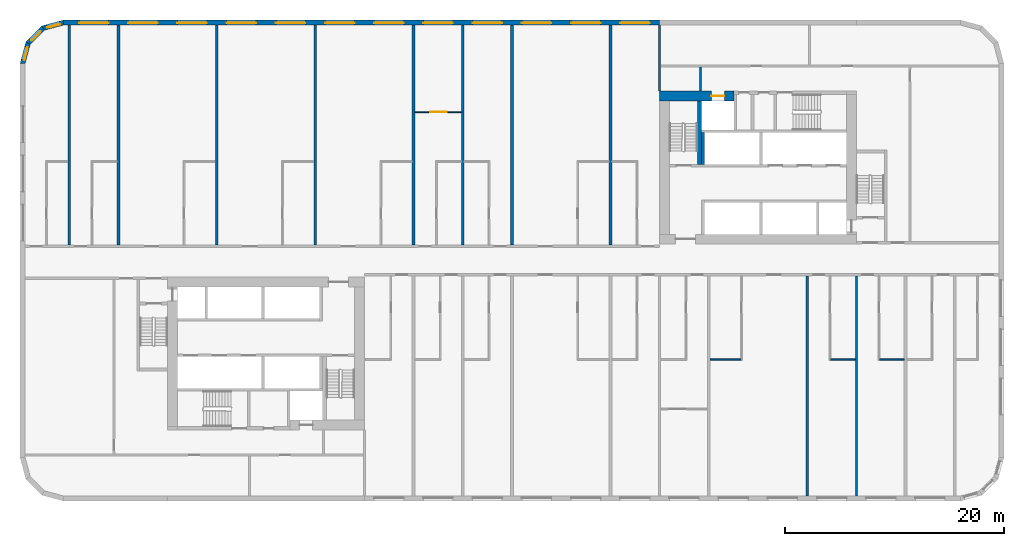
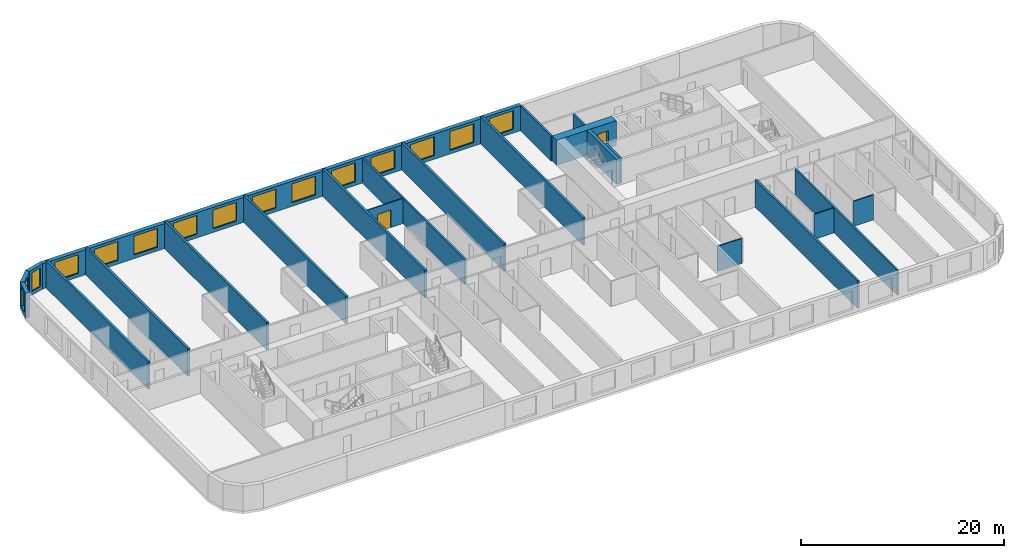
# One storey, part 6 of 12: 23 walls, 15 windows, 2 doors, 17 openings.
"""IFC4 building model written with IfcOpenShell, lengths in metres."""

import ifcopenshell
import ifcopenshell.guid

model = None  # the IFC model being written
_history = None  # IfcOwnerHistory: only IFC2X3 demands one
_inside = {}  # id of a spatial element -> (the spatial element, [elements in it])
_under = {}  # id of a project, library or spatial element -> (it, [spatial elements below it])
_declared = {}  # id of a project -> (the project, [libraries it declares])
_typed = {}  # id of a type object -> (the type object, [elements of that type])
_made_of = {}  # id of a material, layer set ... -> (it, [elements and type objects made of it])


def new_model(schema):
    """Start an empty IFC model of exactly this schema.

    Asked for "IFC4X3", IfcOpenShell would pick the latest addendum, in which some entities
    have other attributes; the version numbers below select the first issue.
    IFC2X3 requires an IfcOwnerHistory on every rooted entity: one is made here for all.
    """
    global model, _history
    if schema == "IFC4X3":
        model = ifcopenshell.file(schema_version=(4, 3, 0, 0))
    else:
        model = ifcopenshell.file(schema=schema)
    _inside.clear()
    _under.clear()
    _declared.clear()
    _typed.clear()
    _made_of.clear()
    _history = None
    if model.schema == "IFC2X3":
        org = make("IfcOrganization", Name="unknown")
        user = make(
            "IfcPersonAndOrganization",
            ThePerson=make("IfcPerson", FamilyName="unknown"),
            TheOrganization=org,
        )
        app = make(
            "IfcApplication",
            ApplicationDeveloper=org,
            Version="unknown",
            ApplicationFullName="unknown",
            ApplicationIdentifier="unknown",
        )
        _history = make(
            "IfcOwnerHistory",
            OwningUser=user,
            OwningApplication=app,
            ChangeAction="ADDED",
            CreationDate=0,
        )
    return model


def make(cls, **values):
    """One entity of the class cls with the attributes given. An attribute that is None is left unset."""
    return model.create_entity(
        cls, **{name: value for name, value in values.items() if value is not None}
    )


def rooted(cls, **values):
    """An entity with a GlobalId (a new one), such as an element, a storey or a relation."""
    return make(cls, GlobalId=ifcopenshell.guid.new(), OwnerHistory=_history, **values)


def si_unit(unit_type, name, prefix=None):
    """IfcSIUnit, for example si_unit("LENGTHUNIT", "METRE", prefix="MILLI")."""
    return make("IfcSIUnit", UnitType=unit_type, Prefix=prefix, Name=name)


def assignment(units):
    """IfcUnitAssignment: the units of a project."""
    return None if units is None else make("IfcUnitAssignment", Units=units)


def point(xyz):
    """IfcCartesianPoint."""
    return None if xyz is None else make("IfcCartesianPoint", Coordinates=xyz)


def direction(xyz):
    """IfcDirection."""
    return None if xyz is None else make("IfcDirection", DirectionRatios=xyz)


def frame(location, z_axis=None, x_axis=None):
    """IfcAxis2Placement3D, a coordinate frame: its origin and axes. An axis left out is left unset."""
    return make(
        "IfcAxis2Placement3D",
        Location=point(location),
        Axis=direction(z_axis),
        RefDirection=direction(x_axis),
    )


def frame_2d(location, x_axis=None):
    """IfcAxis2Placement2D, a coordinate frame in the plane: its origin and x axis."""
    return make(
        "IfcAxis2Placement2D", Location=point(location), RefDirection=direction(x_axis)
    )


def origin():
    """The frame at (0, 0, 0) with its axes left unset."""
    return frame((0.0, 0.0, 0.0))


def place(relative_to, where):
    """IfcLocalPlacement: puts the frame where relative to a parent placement (None: the world)."""
    return make(
        "IfcLocalPlacement", PlacementRelTo=relative_to, RelativePlacement=where
    )


def context(
    kind, dimensions, precision=None, world=None, true_north=None, identifier=None
):
    """IfcGeometricRepresentationContext, for example the 3D "Model" context."""
    return make(
        "IfcGeometricRepresentationContext",
        ContextIdentifier=identifier,
        ContextType=kind,
        CoordinateSpaceDimension=dimensions,
        Precision=precision,
        WorldCoordinateSystem=world,
        TrueNorth=true_north,
    )


def subcontext(parent, identifier, kind, view, scale=None):
    """IfcGeometricRepresentationSubContext, for example "Body" below "Model"."""
    return make(
        "IfcGeometricRepresentationSubContext",
        ContextIdentifier=identifier,
        ContextType=kind,
        ParentContext=parent,
        TargetScale=scale,
        TargetView=view,
    )


def project(units=None, contexts=None):
    """IfcProject with its units and contexts."""
    return rooted(
        "IfcProject",
        Name="project",
        RepresentationContexts=contexts,
        UnitsInContext=assignment(units),
    )


def spatial(cls, under=None, at=None, **own):
    """A site, building, storey or space (cls), placed at a placement, below another one or the project."""
    s = rooted(cls, ObjectPlacement=at, **own)
    if under is not None:
        _under.setdefault(under.id(), (under, []))[1].append(s)
    return s


def polyline(points):
    """IfcPolyline through the points."""
    return make("IfcPolyline", Points=[point(p) for p in points])


def profile(cls, at=None, kind="AREA", **sizes):
    """A parametric profile (cls). Its sizes go by their IFC names, for example OverallWidth=200.0."""
    return make(cls, ProfileType=kind, Position=at, **sizes)


def rectangle(**sizes):
    """IfcRectangleProfileDef."""
    return profile("IfcRectangleProfileDef", **sizes)


def outline(outer, holes=None, kind="AREA"):
    """IfcArbitraryClosedProfileDef: a profile drawn as a closed curve; with holes, ...WithVoids."""
    if holes is None:
        return make("IfcArbitraryClosedProfileDef", ProfileType=kind, OuterCurve=outer)
    return make(
        "IfcArbitraryProfileDefWithVoids",
        ProfileType=kind,
        OuterCurve=outer,
        InnerCurves=holes,
    )


def extrude(swept, where, along, depth):
    """IfcExtrudedAreaSolid: the profile swept, set in the frame where, extruded along a direction by depth."""
    return make(
        "IfcExtrudedAreaSolid",
        SweptArea=swept,
        Position=where,
        ExtrudedDirection=direction(along),
        Depth=depth,
    )


def shape(context_of_items, identifier, shape_type, items):
    """IfcShapeRepresentation: the items that make up one representation, for example the "Body"."""
    return make(
        "IfcShapeRepresentation",
        ContextOfItems=context_of_items,
        RepresentationIdentifier=identifier,
        RepresentationType=shape_type,
        Items=items,
    )


def material(Name=None, Category=None):
    """IfcMaterial."""
    return make("IfcMaterial", Name=Name, Category=Category)


def layer(
    of_material, thickness, ventilated=None, Name=None, Category=None, Priority=None
):
    """IfcMaterialLayer: one layer of a wall or slab, of a material (None: an air gap)."""
    return make(
        "IfcMaterialLayer",
        Material=of_material,
        LayerThickness=thickness,
        IsVentilated=ventilated,
        Name=Name,
        Category=Category,
        Priority=Priority,
    )


def layer_set(layers, Name=None):
    """IfcMaterialLayerSet."""
    return make("IfcMaterialLayerSet", MaterialLayers=layers, LayerSetName=Name)


def made_of(thing, what):
    """Note that an element or type object is made of a material, layer set ...; save() writes the relation."""
    if what is not None:
        _made_of.setdefault(what.id(), (what, []))[1].append(thing)
    return thing


def type_object(cls, material=None, **own):
    """A type object (cls), such as IfcWallType, which elements share."""
    return made_of(rooted(cls, **own), material)


def element(
    cls,
    number,
    at=None,
    inside=None,
    cuts=None,
    type_object=None,
    material=None,
    context=None,
    identifier="Body",
    shape_type=None,
    held_by="IfcProductDefinitionShape",
    body=None,
    shapes=None,
    **own,
):
    """One element of the class cls, such as IfcWall. Its Tag is "e" and its number.

    at: its placement. inside: the storey or other place that contains it. cuts: it is an
    opening in that element (IfcRelVoidsElement). A single representation is given by context,
    identifier, shape_type and body (its items); several are given by shapes. held_by: the class
    of the entity that holds the representations. save() writes the other relations.
    """
    e = rooted(cls, Tag="e%d" % number, ObjectPlacement=at, **own)
    if body is not None:
        shapes = [shape(context, identifier, shape_type, body)]
    if shapes is not None:
        e.Representation = make(held_by, Representations=shapes)
    if inside is not None:
        _inside.setdefault(inside.id(), (inside, []))[1].append(e)
    if cuts is not None:
        rooted(
            "IfcRelVoidsElement", RelatingBuildingElement=cuts, RelatedOpeningElement=e
        )
    if type_object is not None:
        _typed.setdefault(type_object.id(), (type_object, []))[1].append(e)
    return made_of(e, material)


def fill(opening, filler):
    """IfcRelFillsElement: the door or window that sits in an opening."""
    return rooted(
        "IfcRelFillsElement",
        RelatingOpeningElement=opening,
        RelatedBuildingElement=filler,
    )


def aggregate(whole, parts):
    """IfcRelAggregates: a whole, such as a stair, and the parts it consists of."""
    return rooted("IfcRelAggregates", RelatingObject=whole, RelatedObjects=parts)


def save(model, path):
    """Write the relations noted so far, then the file.

    IfcRelAggregates (storeys below a building ...), IfcRelContainedInSpatialStructure (elements
    in a storey), IfcRelDefinesByType, IfcRelAssociatesMaterial and IfcRelDeclares: one each for
    every whole, place, type object, material and project.
    """
    for whole, parts in _under.values():
        aggregate(whole, parts)
    for where, things in _inside.values():
        rooted(
            "IfcRelContainedInSpatialStructure",
            RelatedElements=things,
            RelatingStructure=where,
        )
    for kind, things in _typed.values():
        rooted("IfcRelDefinesByType", RelatedObjects=things, RelatingType=kind)
    for what, things in _made_of.values():
        rooted("IfcRelAssociatesMaterial", RelatedObjects=things, RelatingMaterial=what)
    for by, libraries in _declared.values():
        rooted("IfcRelDeclares", RelatingContext=by, RelatedDefinitions=libraries)
    model.write(path)


model = new_model("IFC4")

# Units and contexts
model_context = context("Model", 3, precision=1e-05, world=origin(), true_north=direction((0.0, 1.0)))
body_context = subcontext(model_context, "Body", "Model", "MODEL_VIEW")
ifc_project = project(units=[si_unit("LENGTHUNIT", "METRE"), si_unit("AREAUNIT", "SQUARE_METRE"), si_unit("VOLUMEUNIT", "CUBIC_METRE"), si_unit("PLANEANGLEUNIT", "RADIAN"), si_unit("MASSUNIT", "GRAM", prefix="KILO")], contexts=[model_context])

# Site, building, storey
site_placement = place(None, origin())
site = spatial("IfcSite", under=ifc_project, at=site_placement, CompositionType="ELEMENT")
building_placement = place(site_placement, origin())
building = spatial("IfcBuilding", under=site, at=building_placement, Name="Kajstack Hotel Tower", CompositionType="ELEMENT")
storey_placement = place(building_placement, frame((0.0, 0.0, 83.10009765625)))
storey = spatial("IfcBuildingStorey", under=building, at=storey_placement, Name="L16", CompositionType="ELEMENT", Elevation=83.10009765625)

# Wall, opening, door
ifc_material_1 = material(Name="Concrete C60/75", Category="concrete")
ifc_layer_1 = layer(ifc_material_1, 0.89990234375)
ifc_layer_set_1 = layer_set([ifc_layer_1], Name="Core wall 900")
wall_type_1 = type_object("IfcWallType", Name="Core wall 900", PredefinedType="SHEAR", material=ifc_layer_set_1)
wall_1_placement = place(storey_placement, frame((13.5, 15.050048828125, 0.0), z_axis=(0.0, 0.0, 1.0), x_axis=(1.0, 0.0, 0.0)))
wall_1 = element("IfcWall", 1, at=wall_1_placement, inside=storey, type_object=wall_type_1, Name="Core wall E RS", PredefinedType="SHEAR", context=body_context, shape_type="SweptSolid", body=[
    extrude(rectangle(XDim=6.800048828125, YDim=0.89990234375, at=frame_2d((3.39990234375, 0.0))), origin(), (0.0, 0.0, 1.0), 3.02001953125),
])
opening_1_placement = place(wall_1_placement, frame((4.72509765625, 0.0, 0.0)))
opening_1 = element("IfcOpeningElement", 2, at=opening_1_placement, cuts=wall_1, Name="Opening LD-SV2", PredefinedType="OPENING", context=body_context, shape_type="SweptSolid", body=[
    extrude(rectangle(XDim=1.199951171875, YDim=2.10009765625, at=frame_2d((0.60009765625, 1.050048828125))), frame((0.0, 0.4599609375, 0.0), z_axis=(0.0, -1.0, 0.0), x_axis=(1.0, 0.0, 0.0)), (0.0, 0.0, 1.0), 0.919921875),
])
ifc_material_2 = material(Name="Stainless steel", Category="steel")
door_type_1 = type_object("IfcDoorType", Name="Lift landing door 1200", OperationType="SLIDING_TO_LEFT", PredefinedType="DOOR", material=ifc_material_2)
door_1_placement = place(opening_1_placement, origin())
door_1 = element("IfcDoor", 3, at=door_1_placement, inside=storey, type_object=door_type_1, Name="Landing door SV2", OperationType="SLIDING_TO_LEFT", OverallHeight=2.10009765625, OverallWidth=1.199951171875, PredefinedType="DOOR", context=body_context, shape_type="SweptSolid", body=[
    extrude(rectangle(XDim=1.199951171875, YDim=2.10009765625, at=frame_2d((0.60009765625, 1.050048828125))), frame((0.0, 0.02490234375, 0.0), z_axis=(0.0, -1.0, 0.0), x_axis=(1.0, 0.0, 0.0)), (0.0, 0.0, 1.0), 0.050048828125),
])
fill(opening_1, door_1)

# Walls
ifc_material_3 = material(Name="Twin-frame gypsum board on steel studs, mineral wool", Category="steel")
ifc_layer_2 = layer(ifc_material_3, 0.199951171875)
ifc_layer_set_2 = layer_set([ifc_layer_2], Name="Demising wall 200")
wall_type_2 = type_object("IfcWallType", Name="Demising wall 200", PredefinedType="PARTITIONING", material=ifc_layer_set_2)
wall_2_placement = place(storey_placement, frame((13.5, 15.5, 0.0), z_axis=(0.0, 0.0, 1.0), x_axis=(0.0, 1.0, 0.0)))
element("IfcWall", 4, at=wall_2_placement, inside=storey, type_object=wall_type_2, Name="G-wall-L16-001", PredefinedType="PARTITIONING", context=body_context, shape_type="SweptSolid", body=[
    extrude(rectangle(XDim=6.050048828125, YDim=0.199951171875, at=frame_2d((3.02490234375, 0.0))), origin(), (0.0, 0.0, 1.0), 3.02001953125),
])
for number, where, z_axis, x_axis, name in (
    (5, (-4.5, 1.39990234375, 0.0), (0.0, 0.0, 1.0), (0.0, 1.0, 0.0), "G-wall-L16-014"),
    (6, (31.5, -21.550048828125, 0.0), (0.0, 0.0, 1.0), (0.0, 1.0, 0.0), "G-wall-L16-042"),
):
    element("IfcWall", number, at=place(storey_placement, frame(where, z_axis=z_axis, x_axis=x_axis)), inside=storey, type_object=wall_type_2, Name=name, PredefinedType="PARTITIONING", context=body_context, shape_type="SweptSolid", body=[
        extrude(rectangle(XDim=20.150146484375, YDim=0.199951171875, at=frame_2d((10.0751953125, 0.0))), origin(), (0.0, 0.0, 1.0), 3.02001953125),
    ])

# Wall, openings, windows
ifc_material_4 = material(Name="Terracotta-faced brick masonry", Category="masonry")
ifc_layer_3 = layer(ifc_material_4, 0.449951171875)
ifc_layer_set_3 = layer_set([ifc_layer_3], Name="EW-TERRA")
wall_type_3 = type_object("IfcWallType", Name="EW-TERRA", PredefinedType="SOLIDWALL", material=ifc_layer_set_3)
wall_3_placement = place(storey_placement, frame((13.5, 21.77490234375, 0.0), z_axis=(0.0, 0.0, 1.0), x_axis=(-1.0, 0.0, 0.0)))
wall_3 = element("IfcWall", 7, at=wall_3_placement, inside=storey, type_object=wall_type_3, Name="E-wall-L16-11-02", PredefinedType="SOLIDWALL", context=body_context, shape_type="SweptSolid", body=[
    extrude(rectangle(XDim=54.5, YDim=0.449951171875, at=frame_2d((27.25, 0.0))), origin(), (0.0, 0.0, 1.0), 3.02001953125),
])
opening_2_placement = place(wall_3_placement, frame((0.89990234375, 0.0, 0.449951171875)))
opening_2 = element("IfcOpeningElement", 8, at=opening_2_placement, cuts=wall_3, Name="Opening W1", PredefinedType="OPENING", context=body_context, shape_type="SweptSolid", body=[
    extrude(rectangle(XDim=2.699951171875, YDim=2.25, at=frame_2d((1.35009765625, 1.125))), frame((0.0, 0.23486328125, 0.0), z_axis=(0.0, -1.0, 0.0), x_axis=(1.0, 0.0, 0.0)), (0.0, 0.0, 1.0), 0.469970703125),
])
opening_3_placement = place(wall_3_placement, frame((5.39990234375, 0.0, 0.449951171875)))
opening_3 = element("IfcOpeningElement", 9, at=opening_3_placement, cuts=wall_3, Name="Opening W1", PredefinedType="OPENING", context=body_context, shape_type="SweptSolid", body=[
    extrude(rectangle(XDim=2.699951171875, YDim=2.25, at=frame_2d((1.35009765625, 1.125))), frame((0.0, 0.23486328125, 0.0), z_axis=(0.0, -1.0, 0.0), x_axis=(1.0, 0.0, 0.0)), (0.0, 0.0, 1.0), 0.469970703125),
])
opening_4_placement = place(wall_3_placement, frame((9.89990234375, 0.0, 0.449951171875)))
opening_4 = element("IfcOpeningElement", 10, at=opening_4_placement, cuts=wall_3, Name="Opening W1", PredefinedType="OPENING", context=body_context, shape_type="SweptSolid", body=[
    extrude(rectangle(XDim=2.699951171875, YDim=2.25, at=frame_2d((1.35009765625, 1.125))), frame((0.0, 0.23486328125, 0.0), z_axis=(0.0, -1.0, 0.0), x_axis=(1.0, 0.0, 0.0)), (0.0, 0.0, 1.0), 0.469970703125),
])
opening_5_placement = place(wall_3_placement, frame((14.39990234375, 0.0, 0.449951171875)))
opening_5 = element("IfcOpeningElement", 11, at=opening_5_placement, cuts=wall_3, Name="Opening W1", PredefinedType="OPENING", context=body_context, shape_type="SweptSolid", body=[
    extrude(rectangle(XDim=2.699951171875, YDim=2.25, at=frame_2d((1.35009765625, 1.125))), frame((0.0, 0.23486328125, 0.0), z_axis=(0.0, -1.0, 0.0), x_axis=(1.0, 0.0, 0.0)), (0.0, 0.0, 1.0), 0.469970703125),
])
opening_6_placement = place(wall_3_placement, frame((18.89990234375, 0.0, 0.449951171875)))
opening_6 = element("IfcOpeningElement", 12, at=opening_6_placement, cuts=wall_3, Name="Opening W1", PredefinedType="OPENING", context=body_context, shape_type="SweptSolid", body=[
    extrude(rectangle(XDim=2.699951171875, YDim=2.25, at=frame_2d((1.35009765625, 1.125))), frame((0.0, 0.23486328125, 0.0), z_axis=(0.0, -1.0, 0.0), x_axis=(1.0, 0.0, 0.0)), (0.0, 0.0, 1.0), 0.469970703125),
])
opening_7_placement = place(wall_3_placement, frame((23.39990234375, 0.0, 0.449951171875)))
opening_7 = element("IfcOpeningElement", 13, at=opening_7_placement, cuts=wall_3, Name="Opening W1", PredefinedType="OPENING", context=body_context, shape_type="SweptSolid", body=[
    extrude(rectangle(XDim=2.699951171875, YDim=2.25, at=frame_2d((1.35009765625, 1.125))), frame((0.0, 0.23486328125, 0.0), z_axis=(0.0, -1.0, 0.0), x_axis=(1.0, 0.0, 0.0)), (0.0, 0.0, 1.0), 0.469970703125),
])
opening_8_placement = place(wall_3_placement, frame((27.89990234375, 0.0, 0.449951171875)))
opening_8 = element("IfcOpeningElement", 14, at=opening_8_placement, cuts=wall_3, Name="Opening W1", PredefinedType="OPENING", context=body_context, shape_type="SweptSolid", body=[
    extrude(rectangle(XDim=2.699951171875, YDim=2.25, at=frame_2d((1.35009765625, 1.125))), frame((0.0, 0.23486328125, 0.0), z_axis=(0.0, -1.0, 0.0), x_axis=(1.0, 0.0, 0.0)), (0.0, 0.0, 1.0), 0.469970703125),
])
opening_9_placement = place(wall_3_placement, frame((32.39990234375, 0.0, 0.449951171875)))
opening_9 = element("IfcOpeningElement", 15, at=opening_9_placement, cuts=wall_3, Name="Opening W1", PredefinedType="OPENING", context=body_context, shape_type="SweptSolid", body=[
    extrude(rectangle(XDim=2.699951171875, YDim=2.25, at=frame_2d((1.35009765625, 1.125))), frame((0.0, 0.23486328125, 0.0), z_axis=(0.0, -1.0, 0.0), x_axis=(1.0, 0.0, 0.0)), (0.0, 0.0, 1.0), 0.469970703125),
])
opening_10_placement = place(wall_3_placement, frame((36.89990234375, 0.0, 0.449951171875)))
opening_10 = element("IfcOpeningElement", 16, at=opening_10_placement, cuts=wall_3, Name="Opening W1", PredefinedType="OPENING", context=body_context, shape_type="SweptSolid", body=[
    extrude(rectangle(XDim=2.699951171875, YDim=2.25, at=frame_2d((1.35009765625, 1.125))), frame((0.0, 0.23486328125, 0.0), z_axis=(0.0, -1.0, 0.0), x_axis=(1.0, 0.0, 0.0)), (0.0, 0.0, 1.0), 0.469970703125),
])
opening_11_placement = place(wall_3_placement, frame((41.39990234375, 0.0, 0.449951171875)))
opening_11 = element("IfcOpeningElement", 17, at=opening_11_placement, cuts=wall_3, Name="Opening W1", PredefinedType="OPENING", context=body_context, shape_type="SweptSolid", body=[
    extrude(rectangle(XDim=2.699951171875, YDim=2.25, at=frame_2d((1.35009765625, 1.125))), frame((0.0, 0.23486328125, 0.0), z_axis=(0.0, -1.0, 0.0), x_axis=(1.0, 0.0, 0.0)), (0.0, 0.0, 1.0), 0.469970703125),
])
opening_12_placement = place(wall_3_placement, frame((45.89990234375, 0.0, 0.449951171875)))
opening_12 = element("IfcOpeningElement", 18, at=opening_12_placement, cuts=wall_3, Name="Opening W1", PredefinedType="OPENING", context=body_context, shape_type="SweptSolid", body=[
    extrude(rectangle(XDim=2.699951171875, YDim=2.25, at=frame_2d((1.35009765625, 1.125))), frame((0.0, 0.23486328125, 0.0), z_axis=(0.0, -1.0, 0.0), x_axis=(1.0, 0.0, 0.0)), (0.0, 0.0, 1.0), 0.469970703125),
])
opening_13_placement = place(wall_3_placement, frame((50.39990234375, 0.0, 0.449951171875)))
opening_13 = element("IfcOpeningElement", 19, at=opening_13_placement, cuts=wall_3, Name="Opening W1", PredefinedType="OPENING", context=body_context, shape_type="SweptSolid", body=[
    extrude(rectangle(XDim=2.699951171875, YDim=2.25, at=frame_2d((1.35009765625, 1.125))), frame((0.0, 0.23486328125, 0.0), z_axis=(0.0, -1.0, 0.0), x_axis=(1.0, 0.0, 0.0)), (0.0, 0.0, 1.0), 0.469970703125),
])
ifc_material_5 = material(Name="Timber-aluminium window, triple glazed", Category="wood")
window_type_1 = type_object("IfcWindowType", Name="WG1", PartitioningType="SINGLE_PANEL", PredefinedType="WINDOW", material=ifc_material_5)
window_1_placement = place(opening_2_placement, origin())
window_1 = element("IfcWindow", 20, at=window_1_placement, inside=storey, type_object=window_type_1, Name="Window W1 L16-11", OverallHeight=2.25, OverallWidth=2.699951171875, PartitioningType="SINGLE_PANEL", PredefinedType="WINDOW", context=body_context, shape_type="SweptSolid", body=[
    extrude(rectangle(XDim=2.699951171875, YDim=2.25, at=frame_2d((1.35009765625, 1.125))), frame((0.0, 0.090087890625, 0.0), z_axis=(0.0, -1.0, 0.0), x_axis=(1.0, 0.0, 0.0)), (0.0, 0.0, 1.0), 0.06005859375),
])
fill(opening_2, window_1)
window_2_placement = place(opening_3_placement, origin())
window_2 = element("IfcWindow", 21, at=window_2_placement, inside=storey, type_object=window_type_1, Name="Window W1 L16-11", OverallHeight=2.25, OverallWidth=2.699951171875, PartitioningType="SINGLE_PANEL", PredefinedType="WINDOW", context=body_context, shape_type="SweptSolid", body=[
    extrude(rectangle(XDim=2.699951171875, YDim=2.25, at=frame_2d((1.35009765625, 1.125))), frame((0.0, 0.090087890625, 0.0), z_axis=(0.0, -1.0, 0.0), x_axis=(1.0, 0.0, 0.0)), (0.0, 0.0, 1.0), 0.06005859375),
])
fill(opening_3, window_2)
window_3_placement = place(opening_4_placement, origin())
window_3 = element("IfcWindow", 22, at=window_3_placement, inside=storey, type_object=window_type_1, Name="Window W1 L16-11", OverallHeight=2.25, OverallWidth=2.699951171875, PartitioningType="SINGLE_PANEL", PredefinedType="WINDOW", context=body_context, shape_type="SweptSolid", body=[
    extrude(rectangle(XDim=2.699951171875, YDim=2.25, at=frame_2d((1.35009765625, 1.125))), frame((0.0, 0.090087890625, 0.0), z_axis=(0.0, -1.0, 0.0), x_axis=(1.0, 0.0, 0.0)), (0.0, 0.0, 1.0), 0.06005859375),
])
fill(opening_4, window_3)
window_4_placement = place(opening_5_placement, origin())
window_4 = element("IfcWindow", 23, at=window_4_placement, inside=storey, type_object=window_type_1, Name="Window W1 L16-11", OverallHeight=2.25, OverallWidth=2.699951171875, PartitioningType="SINGLE_PANEL", PredefinedType="WINDOW", context=body_context, shape_type="SweptSolid", body=[
    extrude(rectangle(XDim=2.699951171875, YDim=2.25, at=frame_2d((1.35009765625, 1.125))), frame((0.0, 0.090087890625, 0.0), z_axis=(0.0, -1.0, 0.0), x_axis=(1.0, 0.0, 0.0)), (0.0, 0.0, 1.0), 0.06005859375),
])
fill(opening_5, window_4)
window_5_placement = place(opening_6_placement, origin())
window_5 = element("IfcWindow", 24, at=window_5_placement, inside=storey, type_object=window_type_1, Name="Window W1 L16-11", OverallHeight=2.25, OverallWidth=2.699951171875, PartitioningType="SINGLE_PANEL", PredefinedType="WINDOW", context=body_context, shape_type="SweptSolid", body=[
    extrude(rectangle(XDim=2.699951171875, YDim=2.25, at=frame_2d((1.35009765625, 1.125))), frame((0.0, 0.090087890625, 0.0), z_axis=(0.0, -1.0, 0.0), x_axis=(1.0, 0.0, 0.0)), (0.0, 0.0, 1.0), 0.06005859375),
])
fill(opening_6, window_5)
window_6_placement = place(opening_7_placement, origin())
window_6 = element("IfcWindow", 25, at=window_6_placement, inside=storey, type_object=window_type_1, Name="Window W1 L16-11", OverallHeight=2.25, OverallWidth=2.699951171875, PartitioningType="SINGLE_PANEL", PredefinedType="WINDOW", context=body_context, shape_type="SweptSolid", body=[
    extrude(rectangle(XDim=2.699951171875, YDim=2.25, at=frame_2d((1.35009765625, 1.125))), frame((0.0, 0.090087890625, 0.0), z_axis=(0.0, -1.0, 0.0), x_axis=(1.0, 0.0, 0.0)), (0.0, 0.0, 1.0), 0.06005859375),
])
fill(opening_7, window_6)
window_7_placement = place(opening_8_placement, origin())
window_7 = element("IfcWindow", 26, at=window_7_placement, inside=storey, type_object=window_type_1, Name="Window W1 L16-11", OverallHeight=2.25, OverallWidth=2.699951171875, PartitioningType="SINGLE_PANEL", PredefinedType="WINDOW", context=body_context, shape_type="SweptSolid", body=[
    extrude(rectangle(XDim=2.699951171875, YDim=2.25, at=frame_2d((1.35009765625, 1.125))), frame((0.0, 0.090087890625, 0.0), z_axis=(0.0, -1.0, 0.0), x_axis=(1.0, 0.0, 0.0)), (0.0, 0.0, 1.0), 0.06005859375),
])
fill(opening_8, window_7)
window_8_placement = place(opening_9_placement, origin())
window_8 = element("IfcWindow", 27, at=window_8_placement, inside=storey, type_object=window_type_1, Name="Window W1 L16-11", OverallHeight=2.25, OverallWidth=2.699951171875, PartitioningType="SINGLE_PANEL", PredefinedType="WINDOW", context=body_context, shape_type="SweptSolid", body=[
    extrude(rectangle(XDim=2.699951171875, YDim=2.25, at=frame_2d((1.35009765625, 1.125))), frame((0.0, 0.090087890625, 0.0), z_axis=(0.0, -1.0, 0.0), x_axis=(1.0, 0.0, 0.0)), (0.0, 0.0, 1.0), 0.06005859375),
])
fill(opening_9, window_8)
window_9_placement = place(opening_10_placement, origin())
window_9 = element("IfcWindow", 28, at=window_9_placement, inside=storey, type_object=window_type_1, Name="Window W1 L16-11", OverallHeight=2.25, OverallWidth=2.699951171875, PartitioningType="SINGLE_PANEL", PredefinedType="WINDOW", context=body_context, shape_type="SweptSolid", body=[
    extrude(rectangle(XDim=2.699951171875, YDim=2.25, at=frame_2d((1.35009765625, 1.125))), frame((0.0, 0.090087890625, 0.0), z_axis=(0.0, -1.0, 0.0), x_axis=(1.0, 0.0, 0.0)), (0.0, 0.0, 1.0), 0.06005859375),
])
fill(opening_10, window_9)
window_10_placement = place(opening_11_placement, origin())
window_10 = element("IfcWindow", 29, at=window_10_placement, inside=storey, type_object=window_type_1, Name="Window W1 L16-11", OverallHeight=2.25, OverallWidth=2.699951171875, PartitioningType="SINGLE_PANEL", PredefinedType="WINDOW", context=body_context, shape_type="SweptSolid", body=[
    extrude(rectangle(XDim=2.699951171875, YDim=2.25, at=frame_2d((1.35009765625, 1.125))), frame((0.0, 0.090087890625, 0.0), z_axis=(0.0, -1.0, 0.0), x_axis=(1.0, 0.0, 0.0)), (0.0, 0.0, 1.0), 0.06005859375),
])
fill(opening_11, window_10)
window_11_placement = place(opening_12_placement, origin())
window_11 = element("IfcWindow", 30, at=window_11_placement, inside=storey, type_object=window_type_1, Name="Window W1 L16-11", OverallHeight=2.25, OverallWidth=2.699951171875, PartitioningType="SINGLE_PANEL", PredefinedType="WINDOW", context=body_context, shape_type="SweptSolid", body=[
    extrude(rectangle(XDim=2.699951171875, YDim=2.25, at=frame_2d((1.35009765625, 1.125))), frame((0.0, 0.090087890625, 0.0), z_axis=(0.0, -1.0, 0.0), x_axis=(1.0, 0.0, 0.0)), (0.0, 0.0, 1.0), 0.06005859375),
])
fill(opening_12, window_11)
window_12_placement = place(opening_13_placement, origin())
window_12 = element("IfcWindow", 31, at=window_12_placement, inside=storey, type_object=window_type_1, Name="Window W1 L16-11", OverallHeight=2.25, OverallWidth=2.699951171875, PartitioningType="SINGLE_PANEL", PredefinedType="WINDOW", context=body_context, shape_type="SweptSolid", body=[
    extrude(rectangle(XDim=2.699951171875, YDim=2.25, at=frame_2d((1.35009765625, 1.125))), frame((0.0, 0.090087890625, 0.0), z_axis=(0.0, -1.0, 0.0), x_axis=(1.0, 0.0, 0.0)), (0.0, 0.0, 1.0), 0.06005859375),
])
fill(opening_13, window_12)

# Wall, opening, window
wall_4_placement = place(storey_placement, frame((-40.941650390625, 21.78271484375, 0.0), z_axis=(0.0, 0.0, 1.0), x_axis=(-0.965926999034, -0.25881466832, 0.0)))
wall_4 = element("IfcWall", 32, at=wall_4_placement, inside=storey, type_object=wall_type_3, Name="E-wall-L16-12-00", PredefinedType="SOLIDWALL", context=body_context, shape_type="SweptSolid", body=[
    extrude(outline(polyline([(0.000244140625, -0.22509765625), (2.070556640625, -0.224853515625), (1.9501953125, 0.22509765625), (0.12060546875, 0.22509765625), (0.000244140625, -0.22509765625)])), origin(), (0.0, 0.0, 1.0), 3.02001953125),
])
opening_14_placement = place(wall_4_placement, frame((0.435302734375, 0.0, 0.449951171875)))
opening_14 = element("IfcOpeningElement", 33, at=opening_14_placement, cuts=wall_4, Name="Opening W3", PredefinedType="OPENING", context=body_context, shape_type="SweptSolid", body=[
    extrude(rectangle(XDim=1.199951171875, YDim=2.25, at=frame_2d((0.60009765625, 1.125))), frame((0.0, 0.23486328125, 0.0), z_axis=(0.0, -1.0, 0.0), x_axis=(1.0, 0.0, 0.0)), (0.0, 0.0, 1.0), 0.469970703125),
])
window_type_2 = type_object("IfcWindowType", Name="WG3", PartitioningType="SINGLE_PANEL", PredefinedType="WINDOW", material=ifc_material_5)
window_13_placement = place(opening_14_placement, origin())
window_13 = element("IfcWindow", 34, at=window_13_placement, inside=storey, type_object=window_type_2, Name="Window W3 L16-12", OverallHeight=2.25, OverallWidth=1.199951171875, PartitioningType="SINGLE_PANEL", PredefinedType="WINDOW", context=body_context, shape_type="SweptSolid", body=[
    extrude(rectangle(XDim=1.199951171875, YDim=2.25, at=frame_2d((0.60009765625, 1.125))), frame((0.0, 0.090087890625, 0.0), z_axis=(0.0, -1.0, 0.0), x_axis=(1.0, 0.0, 0.0)), (0.0, 0.0, 1.0), 0.06005859375),
])
fill(opening_14, window_13)

wall_5_placement = place(storey_placement, frame((-42.8408203125, 21.304931640625, 0.0), z_axis=(0.0, 0.0, 1.0), x_axis=(-0.707106781187, -0.707106781187, 0.0)))
wall_5 = element("IfcWall", 35, at=wall_5_placement, inside=storey, type_object=wall_type_3, Name="E-wall-L16-13-00", PredefinedType="SOLIDWALL", context=body_context, shape_type="SweptSolid", body=[
    extrude(outline(polyline([(0.0, -0.22509765625), (2.070556640625, -0.22509765625), (1.949951171875, 0.224853515625), (0.12060546875, 0.224853515625), (0.0, -0.22509765625)])), origin(), (0.0, 0.0, 1.0), 3.02001953125),
])
opening_15_placement = place(wall_5_placement, frame((0.435302734375, 0.0, 0.449951171875)))
opening_15 = element("IfcOpeningElement", 36, at=opening_15_placement, cuts=wall_5, Name="Opening W3", PredefinedType="OPENING", context=body_context, shape_type="SweptSolid", body=[
    extrude(rectangle(XDim=1.199951171875, YDim=2.25, at=frame_2d((0.60009765625, 1.125))), frame((0.0, 0.23486328125, 0.0), z_axis=(0.0, -1.0, 0.0), x_axis=(1.0, 0.0, 0.0)), (0.0, 0.0, 1.0), 0.469970703125),
])
window_14_placement = place(opening_15_placement, origin())
window_14 = element("IfcWindow", 37, at=window_14_placement, inside=storey, type_object=window_type_2, Name="Window W3 L16-13", OverallHeight=2.25, OverallWidth=1.199951171875, PartitioningType="SINGLE_PANEL", PredefinedType="WINDOW", context=body_context, shape_type="SweptSolid", body=[
    extrude(rectangle(XDim=1.199951171875, YDim=2.25, at=frame_2d((0.60009765625, 1.125))), frame((0.0, 0.090087890625, 0.0), z_axis=(0.0, -1.0, 0.0), x_axis=(1.0, 0.0, 0.0)), (0.0, 0.0, 1.0), 0.06005859375),
])
fill(opening_15, window_14)

wall_6_placement = place(storey_placement, frame((-44.246826171875, 19.941650390625, 0.0), z_axis=(0.0, 0.0, 1.0), x_axis=(-0.25881466832, -0.965926999034, 0.0)))
wall_6 = element("IfcWall", 38, at=wall_6_placement, inside=storey, type_object=wall_type_3, Name="E-wall-L16-14-00", PredefinedType="SOLIDWALL", context=body_context, shape_type="SweptSolid", body=[
    extrude(outline(polyline([(-0.000244140625, -0.224853515625), (2.0703125, -0.22509765625), (1.949951171875, 0.22509765625), (0.120361328125, 0.22509765625), (-0.000244140625, -0.224853515625)])), origin(), (0.0, 0.0, 1.0), 3.02001953125),
])
opening_16_placement = place(wall_6_placement, frame((0.435302734375, 0.0, 0.449951171875)))
opening_16 = element("IfcOpeningElement", 39, at=opening_16_placement, cuts=wall_6, Name="Opening W3", PredefinedType="OPENING", context=body_context, shape_type="SweptSolid", body=[
    extrude(rectangle(XDim=1.199951171875, YDim=2.25, at=frame_2d((0.60009765625, 1.125))), frame((0.0, 0.23486328125, 0.0), z_axis=(0.0, -1.0, 0.0), x_axis=(1.0, 0.0, 0.0)), (0.0, 0.0, 1.0), 0.469970703125),
])
window_15_placement = place(opening_16_placement, origin())
window_15 = element("IfcWindow", 40, at=window_15_placement, inside=storey, type_object=window_type_2, Name="Window W3 L16-14", OverallHeight=2.25, OverallWidth=1.199951171875, PartitioningType="SINGLE_PANEL", PredefinedType="WINDOW", context=body_context, shape_type="SweptSolid", body=[
    extrude(rectangle(XDim=1.199951171875, YDim=2.25, at=frame_2d((0.60009765625, 1.125))), frame((0.0, 0.090087890625, 0.0), z_axis=(0.0, -1.0, 0.0), x_axis=(1.0, 0.0, 0.0)), (0.0, 0.0, 1.0), 0.06005859375),
])
fill(opening_16, window_15)

# Walls
ifc_material_6 = material(Name="Gypsum board and tiled backer on steel studs", Category="steel")
ifc_layer_4 = layer(ifc_material_6, 0.125)
ifc_layer_set_4 = layer_set([ifc_layer_4], Name="En-suite wall 125")
wall_type_4 = type_object("IfcWallType", Name="En-suite wall 125", PredefinedType="PARTITIONING", material=ifc_layer_set_4)
wall_7_placement = place(storey_placement, frame((18.125, -9.06201171875, 0.0), z_axis=(0.0, 0.0, 1.0), x_axis=(1.0, 0.0, 0.0)))
element("IfcWall", 41, at=wall_7_placement, inside=storey, type_object=wall_type_4, Name="G-wall-L16-041", PredefinedType="PARTITIONING", context=body_context, shape_type="SweptSolid", body=[
    extrude(rectangle(XDim=2.800048828125, YDim=0.125, at=frame_2d((1.39990234375, 0.0))), origin(), (0.0, 0.0, 1.0), 3.02001953125),
])
for number, where, z_axis, x_axis, name in (
    (42, (29.14990234375, -9.06201171875, 0.0), (0.0, 0.0, 1.0), (1.0, 0.0, 0.0), "G-wall-L16-044"),
    (43, (33.625, -9.06201171875, 0.0), (0.0, 0.0, 1.0), (1.0, 0.0, 0.0), "G-wall-L16-046"),
):
    element("IfcWall", number, at=place(storey_placement, frame(where, z_axis=z_axis, x_axis=x_axis)), inside=storey, type_object=wall_type_4, Name=name, PredefinedType="PARTITIONING", context=body_context, shape_type="SweptSolid", body=[
        extrude(rectangle(XDim=2.25, YDim=0.125, at=frame_2d((1.125, 0.0))), origin(), (0.0, 0.0, 1.0), 3.02001953125),
    ])

# Wall, opening, door
ifc_material_7 = material(Name="Gypsum board on steel studs", Category="steel")
ifc_layer_5 = layer(ifc_material_7, 0.10009765625)
ifc_layer_set_5 = layer_set([ifc_layer_5], Name="Partition 100")
wall_type_5 = type_object("IfcWallType", Name="Partition 100", PredefinedType="PARTITIONING", material=ifc_layer_set_5)
wall_8_placement = place(storey_placement, frame((-8.875, 13.574951171875, 0.0), z_axis=(0.0, 0.0, 1.0), x_axis=(1.0, 0.0, 0.0)))
wall_8 = element("IfcWall", 44, at=wall_8_placement, inside=storey, type_object=wall_type_5, Name="G-wall-L16-017", PredefinedType="PARTITIONING", context=body_context, shape_type="SweptSolid", body=[
    extrude(rectangle(XDim=4.27490234375, YDim=0.10009765625, at=frame_2d((2.137451171875, 0.0))), origin(), (0.0, 0.0, 1.0), 3.02001953125),
])
opening_17_placement = place(wall_8_placement, frame((1.387939453125, 0.0, 0.0)))
opening_17 = element("IfcOpeningElement", 45, at=opening_17_placement, cuts=wall_8, Name="Opening 16013", PredefinedType="OPENING", context=body_context, shape_type="SweptSolid", body=[
    extrude(rectangle(XDim=1.5, YDim=2.10009765625, at=frame_2d((0.75, 1.050048828125))), frame((0.0, 0.06005859375, 0.0), z_axis=(0.0, -1.0, 0.0), x_axis=(1.0, 0.0, 0.0)), (0.0, 0.0, 1.0), 0.1201171875),
])
ifc_material_8 = material(Name="Painted timber door leaves, glazed panels", Category="wood")
door_type_2 = type_object("IfcDoorType", Name="Double door 1500", OperationType="SINGLE_SWING_LEFT", PredefinedType="DOOR", material=ifc_material_8)
door_2_placement = place(opening_17_placement, origin())
door_2 = element("IfcDoor", 46, at=door_2_placement, inside=storey, type_object=door_type_2, Name="G-door-L16-13", OperationType="SINGLE_SWING_LEFT", OverallHeight=2.10009765625, OverallWidth=1.5, PredefinedType="DOOR", context=body_context, shape_type="SweptSolid", body=[
    extrude(rectangle(XDim=1.5, YDim=2.10009765625, at=frame_2d((0.75, 1.050048828125))), frame((0.0, 0.02490234375, 0.0), z_axis=(0.0, -1.0, 0.0), x_axis=(1.0, 0.0, 0.0)), (0.0, 0.0, 1.0), 0.050048828125),
])
fill(opening_17, door_2)

# Walls
ifc_layer_6 = layer(ifc_material_1, 0.25)
ifc_layer_set_6 = layer_set([ifc_layer_6], Name="RC cross wall 250 C60/75")
wall_type_6 = type_object("IfcWallType", Name="RC cross wall 250 C60/75", PredefinedType="SHEAR", material=ifc_layer_set_6)
for number, where, z_axis, x_axis, name in (
    (47, (-40.5, 1.39990234375, 0.0), (0.0, 0.0, 1.0), (0.0, 1.0, 0.0), "S-wall-L16-01"),
    (48, (-36.0, 1.39990234375, 0.0), (0.0, 0.0, 1.0), (0.0, 1.0, 0.0), "S-wall-L16-02"),
    (49, (-27.0, 1.39990234375, 0.0), (0.0, 0.0, 1.0), (0.0, 1.0, 0.0), "S-wall-L16-03"),
    (50, (-18.0, 1.39990234375, 0.0), (0.0, 0.0, 1.0), (0.0, 1.0, 0.0), "S-wall-L16-04"),
    (51, (-9.0, 1.39990234375, 0.0), (0.0, 0.0, 1.0), (0.0, 1.0, 0.0), "S-wall-L16-06"),
    (52, (0.0, 1.39990234375, 0.0), (0.0, 0.0, 1.0), (0.0, 1.0, 0.0), "S-wall-L16-08"),
    (53, (9.0, 1.39990234375, 0.0), (0.0, 0.0, 1.0), (0.0, 1.0, 0.0), "S-wall-L16-10"),
    (54, (27.0, -21.5400390625, 0.0), (0.0, 0.0, 1.0), (0.0, 1.0, 0.0), "S-wall-L16-12"),
):
    element("IfcWall", number, at=place(storey_placement, frame(where, z_axis=z_axis, x_axis=x_axis)), inside=storey, type_object=wall_type_6, Name=name, PredefinedType="SHEAR", context=body_context, shape_type="SweptSolid", body=[
        extrude(rectangle(XDim=20.14013671875, YDim=0.25, at=frame_2d((10.070068359375, 0.0))), origin(), (0.0, 0.0, 1.0), 3.2998046875),
    ])
ifc_material_9 = material(Name="Gypsum board on steel studs, mineral wool", Category="steel")
ifc_layer_7 = layer(ifc_material_9, 0.199951171875)
ifc_layer_set_7 = layer_set([ifc_layer_7], Name="Service partition 200")
wall_type_7 = type_object("IfcWallType", Name="Service partition 200", PredefinedType="PARTITIONING", material=ifc_layer_set_7)
wall_9_placement = place(storey_placement, frame((17.25, 15.5, 0.0), z_axis=(0.0, 0.0, 1.0), x_axis=(0.0, 1.0, 0.0)))
element("IfcWall", 55, at=wall_9_placement, inside=storey, type_object=wall_type_7, Name="Partition E SCE", PredefinedType="PARTITIONING", context=body_context, shape_type="SweptSolid", body=[
    extrude(rectangle(XDim=2.199951171875, YDim=0.199951171875, at=frame_2d((1.10009765625, 0.0))), origin(), (0.0, 0.0, 1.0), 3.02001953125),
])
ifc_material_10 = material(Name="Concrete C50/60", Category="concrete")
ifc_layer_8 = layer(ifc_material_10, 0.25)
ifc_layer_set_8 = layer_set([ifc_layer_8], Name="Shaft wall 250")
wall_type_8 = type_object("IfcWallType", Name="Shaft wall 250", PredefinedType="SHEAR", material=ifc_layer_set_8)
wall_10_placement = place(storey_placement, frame((17.47509765625, 8.800048828125, 0.0), z_axis=(0.0, 0.0, 1.0), x_axis=(0.0, 1.0, 0.0)))
element("IfcWall", 56, at=wall_10_placement, inside=storey, type_object=wall_type_8, Name="Core wall E BE", PredefinedType="SHEAR", context=body_context, shape_type="SweptSolid", body=[
    extrude(rectangle(XDim=2.89990234375, YDim=0.25, at=frame_2d((1.449951171875, 0.0))), origin(), (0.0, 0.0, 1.0), 3.02001953125),
])
ifc_layer_9 = layer(ifc_material_10, 0.39990234375)
ifc_layer_set_9 = layer_set([ifc_layer_9], Name="Stair wall 400")
wall_type_9 = type_object("IfcWallType", Name="Stair wall 400", PredefinedType="SHEAR", material=ifc_layer_set_9)
wall_11_placement = place(storey_placement, frame((17.14990234375, 8.800048828125, 0.0), z_axis=(0.0, 0.0, 1.0), x_axis=(0.0, 1.0, 0.0)))
element("IfcWall", 57, at=wall_11_placement, inside=storey, type_object=wall_type_9, Name="Core wall E WW2", PredefinedType="SHEAR", context=body_context, shape_type="SweptSolid", body=[
    extrude(rectangle(XDim=5.800048828125, YDim=0.39990234375, at=frame_2d((2.89990234375, 0.0))), origin(), (0.0, 0.0, 1.0), 3.02001953125),
])

save(model, "model.ifc")
